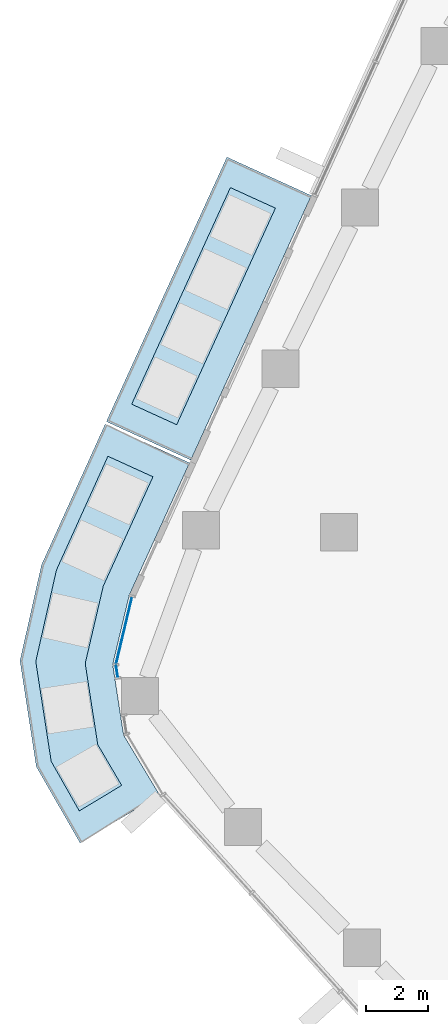
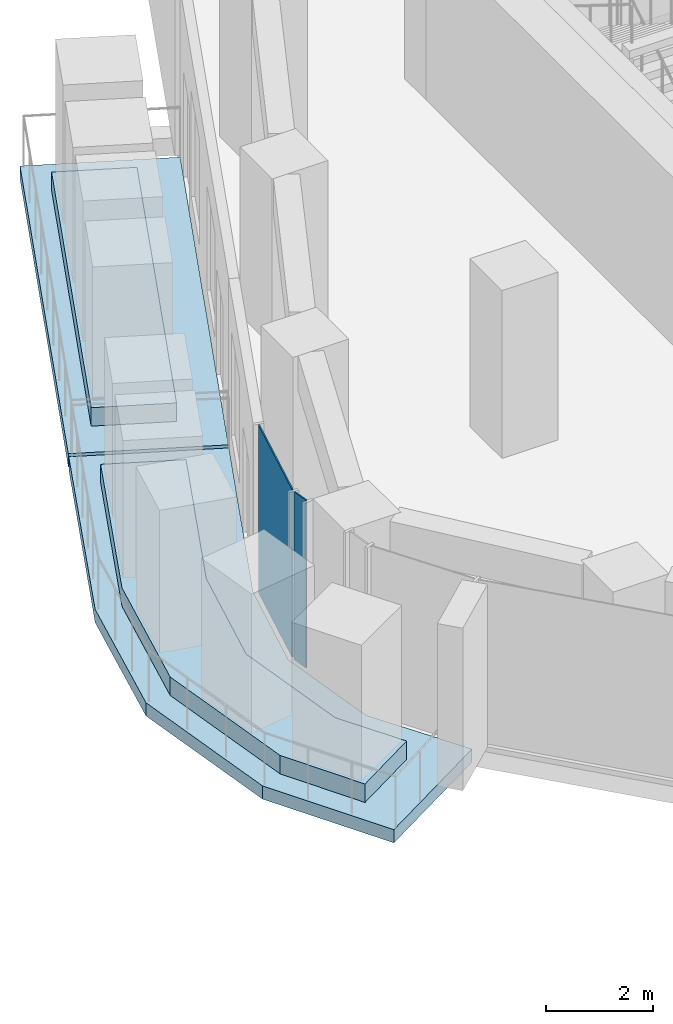
# One storey, part 8 of 18: 4 slabs, 2 plates, 1 element without a shape of its own.
"""IFC4 building model written with IfcOpenShell, lengths in metres."""

import ifcopenshell
import ifcopenshell.guid

model = None  # the IFC model being written
_history = None  # IfcOwnerHistory: only IFC2X3 demands one
_inside = {}  # id of a spatial element -> (the spatial element, [elements in it])
_under = {}  # id of a project, library or spatial element -> (it, [spatial elements below it])
_declared = {}  # id of a project -> (the project, [libraries it declares])
_typed = {}  # id of a type object -> (the type object, [elements of that type])
_made_of = {}  # id of a material, layer set ... -> (it, [elements and type objects made of it])


def new_model(schema):
    """Start an empty IFC model of exactly this schema.

    Asked for "IFC4X3", IfcOpenShell would pick the latest addendum, in which some entities
    have other attributes; the version numbers below select the first issue.
    IFC2X3 requires an IfcOwnerHistory on every rooted entity: one is made here for all.
    """
    global model, _history
    if schema == "IFC4X3":
        model = ifcopenshell.file(schema_version=(4, 3, 0, 0))
    else:
        model = ifcopenshell.file(schema=schema)
    _inside.clear()
    _under.clear()
    _declared.clear()
    _typed.clear()
    _made_of.clear()
    _history = None
    if model.schema == "IFC2X3":
        org = make("IfcOrganization", Name="unknown")
        user = make(
            "IfcPersonAndOrganization",
            ThePerson=make("IfcPerson", FamilyName="unknown"),
            TheOrganization=org,
        )
        app = make(
            "IfcApplication",
            ApplicationDeveloper=org,
            Version="unknown",
            ApplicationFullName="unknown",
            ApplicationIdentifier="unknown",
        )
        _history = make(
            "IfcOwnerHistory",
            OwningUser=user,
            OwningApplication=app,
            ChangeAction="ADDED",
            CreationDate=0,
        )
    return model


def make(cls, **values):
    """One entity of the class cls with the attributes given. An attribute that is None is left unset."""
    return model.create_entity(
        cls, **{name: value for name, value in values.items() if value is not None}
    )


def rooted(cls, **values):
    """An entity with a GlobalId (a new one), such as an element, a storey or a relation."""
    return make(cls, GlobalId=ifcopenshell.guid.new(), OwnerHistory=_history, **values)


def si_unit(unit_type, name, prefix=None):
    """IfcSIUnit, for example si_unit("LENGTHUNIT", "METRE", prefix="MILLI")."""
    return make("IfcSIUnit", UnitType=unit_type, Prefix=prefix, Name=name)


def assignment(units):
    """IfcUnitAssignment: the units of a project."""
    return None if units is None else make("IfcUnitAssignment", Units=units)


def point(xyz):
    """IfcCartesianPoint."""
    return None if xyz is None else make("IfcCartesianPoint", Coordinates=xyz)


def direction(xyz):
    """IfcDirection."""
    return None if xyz is None else make("IfcDirection", DirectionRatios=xyz)


def frame(location, z_axis=None, x_axis=None):
    """IfcAxis2Placement3D, a coordinate frame: its origin and axes. An axis left out is left unset."""
    return make(
        "IfcAxis2Placement3D",
        Location=point(location),
        Axis=direction(z_axis),
        RefDirection=direction(x_axis),
    )


def frame_2d(location, x_axis=None):
    """IfcAxis2Placement2D, a coordinate frame in the plane: its origin and x axis."""
    return make(
        "IfcAxis2Placement2D", Location=point(location), RefDirection=direction(x_axis)
    )


def origin():
    """The frame at (0, 0, 0) with its axes left unset."""
    return frame((0.0, 0.0, 0.0))


def origin_2d():
    """The frame at (0, 0) in the plane with its x axis left unset."""
    return frame_2d((0.0, 0.0))


def place(relative_to, where):
    """IfcLocalPlacement: puts the frame where relative to a parent placement (None: the world)."""
    return make(
        "IfcLocalPlacement", PlacementRelTo=relative_to, RelativePlacement=where
    )


def context(
    kind, dimensions, precision=None, world=None, true_north=None, identifier=None
):
    """IfcGeometricRepresentationContext, for example the 3D "Model" context."""
    return make(
        "IfcGeometricRepresentationContext",
        ContextIdentifier=identifier,
        ContextType=kind,
        CoordinateSpaceDimension=dimensions,
        Precision=precision,
        WorldCoordinateSystem=world,
        TrueNorth=true_north,
    )


def subcontext(parent, identifier, kind, view, scale=None):
    """IfcGeometricRepresentationSubContext, for example "Body" below "Model"."""
    return make(
        "IfcGeometricRepresentationSubContext",
        ContextIdentifier=identifier,
        ContextType=kind,
        ParentContext=parent,
        TargetScale=scale,
        TargetView=view,
    )


def project(units=None, contexts=None):
    """IfcProject with its units and contexts."""
    return rooted(
        "IfcProject",
        Name="project",
        RepresentationContexts=contexts,
        UnitsInContext=assignment(units),
    )


def spatial(cls, under=None, at=None, **own):
    """A site, building, storey or space (cls), placed at a placement, below another one or the project."""
    s = rooted(cls, ObjectPlacement=at, **own)
    if under is not None:
        _under.setdefault(under.id(), (under, []))[1].append(s)
    return s


def polyline(points):
    """IfcPolyline through the points."""
    return make("IfcPolyline", Points=[point(p) for p in points])


def profile(cls, at=None, kind="AREA", **sizes):
    """A parametric profile (cls). Its sizes go by their IFC names, for example OverallWidth=200.0."""
    return make(cls, ProfileType=kind, Position=at, **sizes)


def rectangle(**sizes):
    """IfcRectangleProfileDef."""
    return profile("IfcRectangleProfileDef", **sizes)


def outline(outer, holes=None, kind="AREA"):
    """IfcArbitraryClosedProfileDef: a profile drawn as a closed curve; with holes, ...WithVoids."""
    if holes is None:
        return make("IfcArbitraryClosedProfileDef", ProfileType=kind, OuterCurve=outer)
    return make(
        "IfcArbitraryProfileDefWithVoids",
        ProfileType=kind,
        OuterCurve=outer,
        InnerCurves=holes,
    )


def extrude(swept, where, along, depth):
    """IfcExtrudedAreaSolid: the profile swept, set in the frame where, extruded along a direction by depth."""
    return make(
        "IfcExtrudedAreaSolid",
        SweptArea=swept,
        Position=where,
        ExtrudedDirection=direction(along),
        Depth=depth,
    )


def shape(context_of_items, identifier, shape_type, items):
    """IfcShapeRepresentation: the items that make up one representation, for example the "Body"."""
    return make(
        "IfcShapeRepresentation",
        ContextOfItems=context_of_items,
        RepresentationIdentifier=identifier,
        RepresentationType=shape_type,
        Items=items,
    )


def material(Name=None, Category=None):
    """IfcMaterial."""
    return make("IfcMaterial", Name=Name, Category=Category)


def layer(
    of_material, thickness, ventilated=None, Name=None, Category=None, Priority=None
):
    """IfcMaterialLayer: one layer of a wall or slab, of a material (None: an air gap)."""
    return make(
        "IfcMaterialLayer",
        Material=of_material,
        LayerThickness=thickness,
        IsVentilated=ventilated,
        Name=Name,
        Category=Category,
        Priority=Priority,
    )


def layer_set(layers, Name=None):
    """IfcMaterialLayerSet."""
    return make("IfcMaterialLayerSet", MaterialLayers=layers, LayerSetName=Name)


def made_of(thing, what):
    """Note that an element or type object is made of a material, layer set ...; save() writes the relation."""
    if what is not None:
        _made_of.setdefault(what.id(), (what, []))[1].append(thing)
    return thing


def type_object(cls, material=None, **own):
    """A type object (cls), such as IfcWallType, which elements share."""
    return made_of(rooted(cls, **own), material)


def element(
    cls,
    number,
    at=None,
    inside=None,
    cuts=None,
    type_object=None,
    material=None,
    context=None,
    identifier="Body",
    shape_type=None,
    held_by="IfcProductDefinitionShape",
    body=None,
    shapes=None,
    **own,
):
    """One element of the class cls, such as IfcWall. Its Tag is "e" and its number.

    at: its placement. inside: the storey or other place that contains it. cuts: it is an
    opening in that element (IfcRelVoidsElement). A single representation is given by context,
    identifier, shape_type and body (its items); several are given by shapes. held_by: the class
    of the entity that holds the representations. save() writes the other relations.
    """
    e = rooted(cls, Tag="e%d" % number, ObjectPlacement=at, **own)
    if body is not None:
        shapes = [shape(context, identifier, shape_type, body)]
    if shapes is not None:
        e.Representation = make(held_by, Representations=shapes)
    if inside is not None:
        _inside.setdefault(inside.id(), (inside, []))[1].append(e)
    if cuts is not None:
        rooted(
            "IfcRelVoidsElement", RelatingBuildingElement=cuts, RelatedOpeningElement=e
        )
    if type_object is not None:
        _typed.setdefault(type_object.id(), (type_object, []))[1].append(e)
    return made_of(e, material)


def aggregate(whole, parts):
    """IfcRelAggregates: a whole, such as a stair, and the parts it consists of."""
    return rooted("IfcRelAggregates", RelatingObject=whole, RelatedObjects=parts)


def save(model, path):
    """Write the relations noted so far, then the file.

    IfcRelAggregates (storeys below a building ...), IfcRelContainedInSpatialStructure (elements
    in a storey), IfcRelDefinesByType, IfcRelAssociatesMaterial and IfcRelDeclares: one each for
    every whole, place, type object, material and project.
    """
    for whole, parts in _under.values():
        aggregate(whole, parts)
    for where, things in _inside.values():
        rooted(
            "IfcRelContainedInSpatialStructure",
            RelatedElements=things,
            RelatingStructure=where,
        )
    for kind, things in _typed.values():
        rooted("IfcRelDefinesByType", RelatedObjects=things, RelatingType=kind)
    for what, things in _made_of.values():
        rooted("IfcRelAssociatesMaterial", RelatedObjects=things, RelatingMaterial=what)
    for by, libraries in _declared.values():
        rooted("IfcRelDeclares", RelatingContext=by, RelatedDefinitions=libraries)
    model.write(path)


model = new_model("IFC4")

# Units and contexts
model_context = context("Model", 3, precision=1e-05, world=origin(), true_north=direction((0.0, 1.0)))
body_context = subcontext(model_context, "Body", "Model", "MODEL_VIEW")
ifc_project = project(units=[si_unit("LENGTHUNIT", "METRE"), si_unit("AREAUNIT", "SQUARE_METRE"), si_unit("VOLUMEUNIT", "CUBIC_METRE"), si_unit("PLANEANGLEUNIT", "RADIAN"), si_unit("MASSUNIT", "GRAM", prefix="KILO")], contexts=[model_context])

# Site, building, storey
site_placement = place(None, origin())
site = spatial("IfcSite", under=ifc_project, at=site_placement, CompositionType="ELEMENT")
building_placement = place(site_placement, origin())
building = spatial("IfcBuilding", under=site, at=building_placement, Name="Dongbaek Canopy Tower", CompositionType="ELEMENT")
storey_placement = place(building_placement, frame((0.0, 0.0, 203.0)))
storey = spatial("IfcBuildingStorey", under=building, at=storey_placement, Name="L42", CompositionType="ELEMENT", Elevation=203.0)

# Slabs
ifc_material_1 = material(Name="Concrete C40/50", Category="concrete")
ifc_layer_1 = layer(ifc_material_1, 0.300048828125)
ifc_layer_set_1 = layer_set([ifc_layer_1], Name="Balcony slab 300")
slab_type_1 = type_object("IfcSlabType", Name="Balcony slab 300", PredefinedType="FLOOR", material=ifc_layer_set_1)
slab_1_placement = place(storey_placement, frame((0.0, 0.0, -0.300048828125)))
element("IfcSlab", 1, at=slab_1_placement, inside=storey, type_object=slab_type_1, Name="Balcony L42 1", PredefinedType="FLOOR", context=body_context, shape_type="SweptSolid", body=[
    extrude(outline(polyline([(-18.8994140625, 10.88330078125), (-22.796142578125, 2.33447265625), (-25.52587890625, 3.57861328125), (-21.629150390625, 12.12744140625), (-18.8994140625, 10.88330078125)])), origin(), (0.0, 0.0, 1.0), 0.300048828125),
])
slab_2_placement = place(storey_placement, frame((0.0, 0.0, -0.300048828125)))
element("IfcSlab", 2, at=slab_2_placement, inside=storey, type_object=slab_type_1, Name="Balcony L42 2", PredefinedType="FLOOR", context=body_context, shape_type="SweptSolid", body=[
    extrude(outline(polyline([(-22.83740234375, 2.243408203125), (-24.785888671875, -2.031005859375), (-25.3212890625, -4.277587890625), (-24.96875, -6.559814453125), (-23.8056640625, -8.4970703125), (-26.3779296875, -10.041259765625), (-27.789794921875, -7.580078125), (-28.31884765625, -4.156494140625), (-27.623046875, -1.056396484375), (-25.5673828125, 3.487548828125), (-22.83740234375, 2.243408203125)])), origin(), (0.0, 0.0, 1.0), 0.300048828125),
])

# Curtain wall, plates
ifc_material_2 = material(Name="Aluminium 6063-T6 pale anodised", Category="aluminium")
ifc_layer_2 = layer(ifc_material_2, 0.199951171875)
ifc_layer_set_2 = layer_set([ifc_layer_2], Name="CW-1 unitised tower curtain wall")
curtain_wall_type = type_object("IfcCurtainWallType", Name="CW-1 unitised tower curtain wall", PredefinedType="NOTDEFINED", material=ifc_layer_set_2)
curtain_wall_placement = place(storey_placement, origin())
curtain_wall = element("IfcCurtainWall", 3, at=curtain_wall_placement, inside=storey, type_object=curtain_wall_type, Name="CW-1 curtain wall K3.1a", PredefinedType="NOTDEFINED")
ifc_material_3 = material(Name="Clear laminated glass", Category="glass")
ifc_layer_3 = layer(ifc_material_3, 0.028076171875)
ifc_layer_set_3 = layer_set([ifc_layer_3], Name="CW-1 glazed panel 28")
plate_type = type_object("IfcPlateType", Name="CW-1 glazed panel 28", PredefinedType="CURTAIN_PANEL", material=ifc_layer_set_3)
plate_1_placement = place(storey_placement, frame((-24.955078125, -3.172607421875, 0.0), z_axis=(0.0, 0.0, 1.0), x_axis=(-0.231881690436, -0.972743995942, 0.0)))
plate_1 = element("IfcPlate", 4, at=plate_1_placement, type_object=plate_type, Name="CW-1 panel K3.1a.1.1", PredefinedType="CURTAIN_PANEL", context=body_context, shape_type="SweptSolid", body=[
    extrude(rectangle(XDim=2.196044921875, YDim=0.028076171875, at=origin_2d()), origin(), (0.0, 0.0, 1.0), 3.820068359375),
])
plate_2_placement = place(storey_placement, frame((-25.186279296875, -4.496826171875, 0.0), z_axis=(0.0, 0.0, 1.0), x_axis=(0.15271309761, -0.988270565088, 0.0)))
plate_2 = element("IfcPlate", 5, at=plate_2_placement, type_object=plate_type, Name="CW-1 panel K3.1a.2.1", PredefinedType="CURTAIN_PANEL", context=body_context, shape_type="SweptSolid", body=[
    extrude(rectangle(XDim=0.351806640625, YDim=0.028076171875, at=origin_2d()), origin(), (0.0, 0.0, 1.0), 3.820068359375),
])
aggregate(curtain_wall, [plate_1, plate_2])

# Slabs
ifc_material_4 = material(Name="Reinforced concrete C40/50 planter box with soil", Category="concrete")
ifc_layer_4 = layer(ifc_material_4, 0.419921875)
ifc_layer_set_4 = layer_set([ifc_layer_4], Name="Terrace planter box 1600 x 420")
slab_type_2 = type_object("IfcSlabType", Name="Terrace planter box 1600 x 420", PredefinedType="USERDEFINED", material=ifc_layer_set_4)
slab_3_placement = place(storey_placement, origin())
element("IfcSlab", 6, at=slab_3_placement, inside=storey, type_object=slab_type_2, Name="Balcony planter L42 1", ObjectType="PLANTER", PredefinedType="USERDEFINED", context=body_context, shape_type="SweptSolid", body=[
    extrude(outline(polyline([(-20.061767578125, 10.47900390625), (-23.25341796875, 3.47705078125), (-24.709228515625, 4.140625), (-21.517578125, 11.142578125), (-20.061767578125, 10.47900390625)])), origin(), (0.0, 0.0, 1.0), 0.419921875),
])
slab_4_placement = place(storey_placement, origin())
element("IfcSlab", 7, at=slab_4_placement, inside=storey, type_object=slab_type_2, Name="Balcony planter L42 2", ObjectType="PLANTER", PredefinedType="USERDEFINED", context=body_context, shape_type="SweptSolid", body=[
    extrude(outline(polyline([(-24.020751953125, 1.793701171875), (-25.627685546875, -1.741943359375), (-26.210693359375, -4.24169921875), (-25.8056640625, -6.862548828125), (-25.031982421875, -8.18359375), (-26.40380859375, -9.007080078125), (-27.310302734375, -7.40673828125), (-27.809326171875, -4.177001953125), (-27.140869140625, -1.22216796875), (-25.4765625, 2.457275390625), (-24.020751953125, 1.793701171875)])), origin(), (0.0, 0.0, 1.0), 0.419921875),
])

save(model, "model.ifc")
